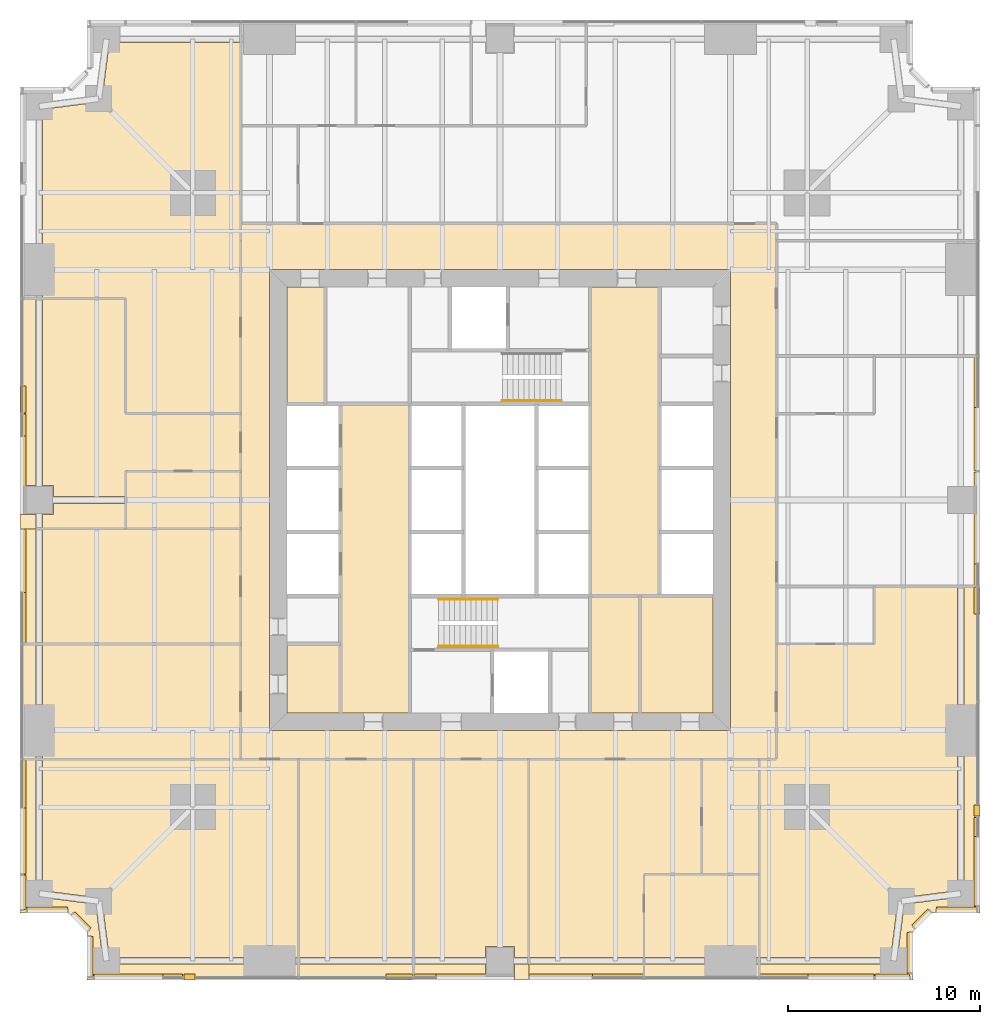
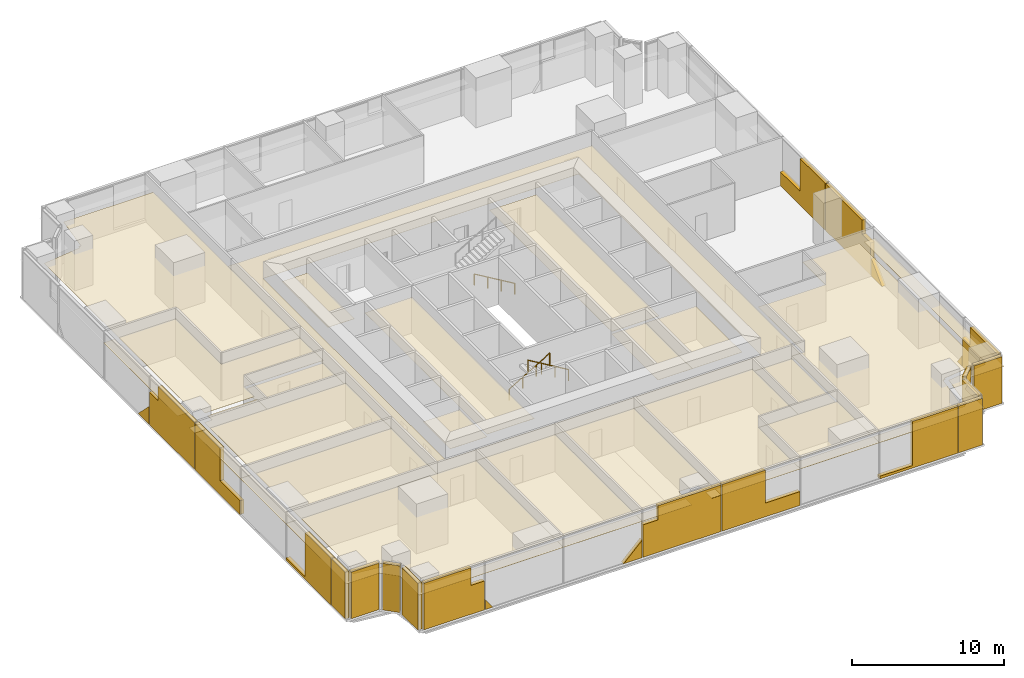
# One storey, part 12 of 13: 54 coverings, 3 railings.
"""IFC4 building model written with IfcOpenShell, lengths in metres."""

from ifc_helpers import new_model, si_unit, direction, frame, origin, origin_2d, place, context, subcontext, project, spatial, polyline, circle, outline, extrude, material, layer, layer_set, type_object, element, save


model = new_model("IFC4")

# Units and contexts
model_context = context("Model", 3, precision=1e-05, world=origin(), true_north=direction((0.0, 1.0)))
body_context = subcontext(model_context, "Body", "Model", "MODEL_VIEW")
ifc_project = project(units=[si_unit("LENGTHUNIT", "METRE"), si_unit("AREAUNIT", "SQUARE_METRE"), si_unit("VOLUMEUNIT", "CUBIC_METRE"), si_unit("PLANEANGLEUNIT", "RADIAN"), si_unit("MASSUNIT", "GRAM", prefix="KILO")], contexts=[model_context])

# Site, building, storey
site_placement = place(None, origin())
site = spatial("IfcSite", under=ifc_project, at=site_placement, CompositionType="ELEMENT")
building_placement = place(site_placement, origin())
building = spatial("IfcBuilding", under=site, at=building_placement, Name="Fenwick Lantern Interchange", CompositionType="ELEMENT")
storey_placement = place(building_placement, frame((0.0, 0.0, 63.0)))
storey = spatial("IfcBuildingStorey", under=building, at=storey_placement, Name="L14", CompositionType="ELEMENT", Elevation=63.0)

# Coverings
ifc_material_1 = material(Name="Mineral fibre acoustic tile on suspended grid")
ifc_layer_1 = layer(ifc_material_1, 0.02001953125)
ifc_layer_set_1 = layer_set([ifc_layer_1], Name="ACOUSTIC TILE CEILING 20")
covering_type_1 = type_object("IfcCoveringType", Name="ACOUSTIC TILE CEILING 20", PredefinedType="CEILING", material=ifc_layer_set_1)
covering_1_placement = place(storey_placement, frame((0.0, 0.0, 2.89990234375)))
element("IfcCovering", 1, at=covering_1_placement, inside=storey, type_object=covering_type_1, Name="Office suite ceiling", PredefinedType="CEILING", context=body_context, shape_type="SweptSolid", body=[
    extrude(outline(polyline([(14.5, 11.5), (1.17236328125, 11.5), (1.17236328125, 4.651611328125), (4.1220703125, 4.27099609375), (4.10009765625, 4.10009765625), (4.27099609375, 4.1220703125), (4.651611328125, 1.17236328125), (13.0, 1.17236328125), (14.5, 1.17236328125), (14.5, 11.5)])), origin(), (0.0, 0.0, 1.0), 0.02001953125),
])
covering_2_placement = place(storey_placement, frame((0.0, 0.0, 2.89990234375)))
element("IfcCovering", 2, at=covering_2_placement, inside=storey, type_object=covering_type_1, Name="Office suite ceiling", PredefinedType="CEILING", context=body_context, shape_type="SweptSolid", body=[
    extrude(outline(polyline([(3.5, 2.5), (3.5, 0.0), (14.5, 0.0), (14.5, 0.82763671875), (13.0, 0.82763671875), (4.5, 0.82763671875), (4.5, 1.0), (4.3291015625, 0.97802734375), (3.946044921875, 3.946044921875), (0.97802734375, 4.3291015625), (1.0, 4.5), (0.82763671875, 4.5), (0.82763671875, 11.5), (0.0, 11.5), (0.0, 3.5), (2.5, 3.5), (3.5, 2.5)])), origin(), (0.0, 0.0, 1.0), 0.02001953125),
])
covering_3_placement = place(storey_placement, frame((0.0, 0.0, 2.89990234375)))
element("IfcCovering", 3, at=covering_3_placement, inside=storey, type_object=covering_type_1, Name="Office suite ceiling", PredefinedType="CEILING", context=body_context, shape_type="SweptSolid", body=[
    extrude(outline(polyline([(14.5, 11.5), (14.5, 1.17236328125), (20.5, 1.17236328125), (20.5, 11.5), (14.5, 11.5)])), origin(), (0.0, 0.0, 1.0), 0.02001953125),
])
covering_4_placement = place(storey_placement, frame((0.0, 0.0, 2.89990234375)))
element("IfcCovering", 4, at=covering_4_placement, inside=storey, type_object=covering_type_1, Name="Office suite ceiling", PredefinedType="CEILING", context=body_context, shape_type="SweptSolid", body=[
    extrude(outline(polyline([(14.5, 0.0), (20.5, 0.0), (20.5, 0.82763671875), (14.5, 0.82763671875), (14.5, 0.0)])), origin(), (0.0, 0.0, 1.0), 0.02001953125),
])
covering_5_placement = place(storey_placement, frame((0.0, 0.0, 2.89990234375)))
element("IfcCovering", 5, at=covering_5_placement, inside=storey, type_object=covering_type_1, Name="Office suite ceiling", PredefinedType="CEILING", context=body_context, shape_type="SweptSolid", body=[
    extrude(outline(polyline([(25.75, 1.75), (25.75, 1.17236328125), (26.5, 1.17236328125), (26.5, 11.5), (20.5, 11.5), (20.5, 1.17236328125), (24.25, 1.17236328125), (24.25, 1.75), (25.75, 1.75)])), origin(), (0.0, 0.0, 1.0), 0.02001953125),
])
covering_6_placement = place(storey_placement, frame((0.0, 0.0, 2.89990234375)))
element("IfcCovering", 6, at=covering_6_placement, inside=storey, type_object=covering_type_1, Name="Office suite ceiling", PredefinedType="CEILING", context=body_context, shape_type="SweptSolid", body=[
    extrude(outline(polyline([(24.25, 0.0), (24.25, 0.82763671875), (20.5, 0.82763671875), (20.5, 0.0), (24.25, 0.0)])), origin(), (0.0, 0.0, 1.0), 0.02001953125),
])
covering_7_placement = place(storey_placement, frame((0.0, 0.0, 2.89990234375)))
element("IfcCovering", 7, at=covering_7_placement, inside=storey, type_object=covering_type_1, Name="Office suite ceiling", PredefinedType="CEILING", context=body_context, shape_type="SweptSolid", body=[
    extrude(outline(polyline([(25.75, 0.82763671875), (25.75, 0.0), (26.5, 0.0), (26.5, 0.82763671875), (25.75, 0.82763671875)])), origin(), (0.0, 0.0, 1.0), 0.02001953125),
])
covering_8_placement = place(storey_placement, frame((0.0, 0.0, 2.89990234375)))
element("IfcCovering", 8, at=covering_8_placement, inside=storey, type_object=covering_type_1, Name="Office suite ceiling", PredefinedType="CEILING", context=body_context, shape_type="SweptSolid", body=[
    extrude(outline(polyline([(26.5, 11.5), (26.5, 1.17236328125), (32.5, 1.17236328125), (32.5, 5.5), (35.5, 5.5), (35.5, 11.5), (26.5, 11.5)])), origin(), (0.0, 0.0, 1.0), 0.02001953125),
])
covering_9_placement = place(storey_placement, frame((0.0, 0.0, 2.89990234375)))
element("IfcCovering", 9, at=covering_9_placement, inside=storey, type_object=covering_type_1, Name="Office suite ceiling", PredefinedType="CEILING", context=body_context, shape_type="SweptSolid", body=[
    extrude(outline(polyline([(26.5, 0.0), (32.5, 0.0), (32.5, 0.82763671875), (26.5, 0.82763671875), (26.5, 0.0)])), origin(), (0.0, 0.0, 1.0), 0.02001953125),
])
covering_10_placement = place(storey_placement, frame((0.0, 0.0, 2.89990234375)))
element("IfcCovering", 10, at=covering_10_placement, inside=storey, type_object=covering_type_1, Name="Office ceiling", PredefinedType="CEILING", context=body_context, shape_type="SweptSolid", body=[
    extrude(outline(polyline([(32.5, 5.5), (32.5, 1.17236328125), (37.0, 1.17236328125), (38.5, 1.17236328125), (38.5, 5.5), (32.5, 5.5)])), origin(), (0.0, 0.0, 1.0), 0.02001953125),
])
covering_11_placement = place(storey_placement, frame((0.0, 0.0, 2.89990234375)))
element("IfcCovering", 11, at=covering_11_placement, inside=storey, type_object=covering_type_1, Name="Office ceiling", PredefinedType="CEILING", context=body_context, shape_type="SweptSolid", body=[
    extrude(outline(polyline([(38.5, 0.0), (38.5, 0.82763671875), (37.0, 0.82763671875), (32.5, 0.82763671875), (32.5, 0.0), (38.5, 0.0)])), origin(), (0.0, 0.0, 1.0), 0.02001953125),
])
covering_12_placement = place(storey_placement, frame((0.0, 0.0, 2.89990234375)))
element("IfcCovering", 12, at=covering_12_placement, inside=storey, type_object=covering_type_1, Name="Office suite ceiling", PredefinedType="CEILING", context=body_context, shape_type="SweptSolid", body=[
    extrude(outline(polyline([(48.82763671875, 20.5), (44.5, 20.5), (44.5, 17.5), (39.39990234375, 17.5), (39.39990234375, 11.5), (38.5, 11.5), (38.5, 1.17236328125), (45.348388671875, 1.17236328125), (45.72900390625, 4.1220703125), (45.89990234375, 4.10009765625), (45.8779296875, 4.27099609375), (48.82763671875, 4.651611328125), (48.82763671875, 13.0), (48.82763671875, 20.5)])), origin(), (0.0, 0.0, 1.0), 0.02001953125),
])
covering_13_placement = place(storey_placement, frame((0.0, 0.0, 2.89990234375)))
element("IfcCovering", 13, at=covering_13_placement, inside=storey, type_object=covering_type_1, Name="Office suite ceiling", PredefinedType="CEILING", context=body_context, shape_type="SweptSolid", body=[
    extrude(outline(polyline([(50.0, 20.5), (49.17236328125, 20.5), (49.17236328125, 13.0), (49.17236328125, 4.5), (49.0, 4.5), (49.02197265625, 4.3291015625), (46.053955078125, 3.946044921875), (45.6708984375, 0.97802734375), (45.5, 1.0), (45.5, 0.82763671875), (38.5, 0.82763671875), (38.5, 0.0), (46.5, 0.0), (46.5, 2.5), (47.5, 3.5), (50.0, 3.5), (50.0, 20.5)])), origin(), (0.0, 0.0, 1.0), 0.02001953125),
])
covering_14_placement = place(storey_placement, frame((0.0, 0.0, 2.89990234375)))
element("IfcCovering", 14, at=covering_14_placement, inside=storey, type_object=covering_type_1, Name="Office suite ceiling", PredefinedType="CEILING", context=body_context, shape_type="SweptSolid", body=[
    extrude(outline(polyline([(11.5, 29.5), (11.5, 48.82763671875), (4.651611328125, 48.82763671875), (4.27099609375, 45.8779296875), (4.10009765625, 45.89990234375), (4.1220703125, 45.72900390625), (1.17236328125, 45.348388671875), (1.17236328125, 37.0), (1.17236328125, 35.5), (5.5, 35.5), (5.5, 29.5), (11.5, 29.5)])), origin(), (0.0, 0.0, 1.0), 0.02001953125),
])
covering_15_placement = place(storey_placement, frame((0.0, 0.0, 2.89990234375)))
element("IfcCovering", 15, at=covering_15_placement, inside=storey, type_object=covering_type_1, Name="Office suite ceiling", PredefinedType="CEILING", context=body_context, shape_type="SweptSolid", body=[
    extrude(outline(polyline([(5.5, 29.5), (5.5, 35.5), (1.17236328125, 35.5), (1.17236328125, 25.75), (1.75, 25.75), (1.75, 25.175048828125), (5.5, 25.175048828125), (5.5, 26.5), (11.5, 26.5), (11.5, 29.5), (5.5, 29.5)])), origin(), (0.0, 0.0, 1.0), 0.02001953125),
])
covering_16_placement = place(storey_placement, frame((0.0, 0.0, 2.89990234375)))
element("IfcCovering", 16, at=covering_16_placement, inside=storey, type_object=covering_type_1, Name="Office suite ceiling", PredefinedType="CEILING", context=body_context, shape_type="SweptSolid", body=[
    extrude(outline(polyline([(0.0, 25.75), (0.82763671875, 25.75), (0.82763671875, 35.5), (0.0, 35.5), (0.0, 25.75)])), origin(), (0.0, 0.0, 1.0), 0.02001953125),
])
covering_17_placement = place(storey_placement, frame((0.0, 0.0, 2.89990234375)))
element("IfcCovering", 17, at=covering_17_placement, inside=storey, type_object=covering_type_1, Name="Office suite ceiling", PredefinedType="CEILING", context=body_context, shape_type="SweptSolid", body=[
    extrude(outline(polyline([(5.5, 23.5), (5.5, 24.824951171875), (1.75, 24.824951171875), (1.75, 24.25), (1.17236328125, 24.25), (1.17236328125, 23.5), (5.5, 23.5)])), origin(), (0.0, 0.0, 1.0), 0.02001953125),
])
covering_18_placement = place(storey_placement, frame((0.0, 0.0, 2.89990234375)))
element("IfcCovering", 18, at=covering_18_placement, inside=storey, type_object=covering_type_1, Name="Office suite ceiling", PredefinedType="CEILING", context=body_context, shape_type="SweptSolid", body=[
    extrude(outline(polyline([(0.0, 23.5), (0.82763671875, 23.5), (0.82763671875, 24.25), (0.0, 24.25), (0.0, 23.5)])), origin(), (0.0, 0.0, 1.0), 0.02001953125),
])
covering_19_placement = place(storey_placement, frame((0.0, 0.0, 2.699951171875)))
element("IfcCovering", 19, at=covering_19_placement, inside=storey, type_object=covering_type_1, Name="Quiet room ceiling", PredefinedType="CEILING", context=body_context, shape_type="SweptSolid", body=[
    extrude(outline(polyline([(5.5, 26.5), (5.5, 23.5), (11.5, 23.5), (11.5, 26.5), (5.5, 26.5)])), origin(), (0.0, 0.0, 1.0), 0.02001953125),
])
covering_20_placement = place(storey_placement, frame((0.0, 0.0, 2.89990234375)))
element("IfcCovering", 20, at=covering_20_placement, inside=storey, type_object=covering_type_1, Name="Office suite ceiling", PredefinedType="CEILING", context=body_context, shape_type="SweptSolid", body=[
    extrude(outline(polyline([(11.5, 23.5), (1.17236328125, 23.5), (1.17236328125, 17.5), (11.5, 17.5), (11.5, 23.5)])), origin(), (0.0, 0.0, 1.0), 0.02001953125),
])
covering_21_placement = place(storey_placement, frame((0.0, 0.0, 2.89990234375)))
element("IfcCovering", 21, at=covering_21_placement, inside=storey, type_object=covering_type_1, Name="Office suite ceiling", PredefinedType="CEILING", context=body_context, shape_type="SweptSolid", body=[
    extrude(outline(polyline([(0.0, 23.5), (0.0, 17.5), (0.82763671875, 17.5), (0.82763671875, 23.5), (0.0, 23.5)])), origin(), (0.0, 0.0, 1.0), 0.02001953125),
])
covering_22_placement = place(storey_placement, frame((0.0, 0.0, 2.89990234375)))
element("IfcCovering", 22, at=covering_22_placement, inside=storey, type_object=covering_type_1, Name="Office suite ceiling", PredefinedType="CEILING", context=body_context, shape_type="SweptSolid", body=[
    extrude(outline(polyline([(11.5, 17.5), (1.17236328125, 17.5), (1.17236328125, 13.0), (1.17236328125, 11.5), (11.5, 11.5), (11.5, 17.5)])), origin(), (0.0, 0.0, 1.0), 0.02001953125),
])
covering_23_placement = place(storey_placement, frame((0.0, 0.0, 2.89990234375)))
element("IfcCovering", 23, at=covering_23_placement, inside=storey, type_object=covering_type_1, Name="Office suite ceiling", PredefinedType="CEILING", context=body_context, shape_type="SweptSolid", body=[
    extrude(outline(polyline([(0.0, 17.5), (0.0, 11.5), (0.82763671875, 11.5), (0.82763671875, 13.0), (0.82763671875, 17.5), (0.0, 17.5)])), origin(), (0.0, 0.0, 1.0), 0.02001953125),
])
ifc_material_2 = material(Name="Granite cladding, warm grey flamed finish, on aluminium carrier frame", Category="masonry")
ifc_layer_2 = layer(ifc_material_2, 0.300048828125)
ifc_layer_set_2 = layer_set([ifc_layer_2], Name="BRACE CASING PANEL 300")
covering_type_2 = type_object("IfcCoveringType", Name="BRACE CASING PANEL 300", PredefinedType="CLADDING", material=ifc_layer_set_2)
covering_24_placement = place(storey_placement, frame((3.60009765625, 0.10009765625, 0.0), z_axis=(0.0, 0.0, 1.0), x_axis=(1.0, 0.0, 0.0)))
element("IfcCovering", 24, at=covering_24_placement, inside=storey, type_object=covering_type_2, Name="Brace casing 01 bay 00a", PredefinedType="CLADDING", context=body_context, shape_type="SweptSolid", body=[
    extrude(outline(polyline([(0.264892578125, 0.0), (4.867431640625, 0.0), (4.867431640625, 2.328125), (3.86083984375, 2.328125), (3.86083984375, 3.75), (0.264892578125, 3.75), (0.264892578125, 0.0)])), frame((0.0, 0.2001953125, 0.0), z_axis=(0.0, -1.0, 0.0), x_axis=(1.0, 0.0, 0.0)), (0.0, 0.0, 1.0), 0.300048828125),
])
covering_25_placement = place(storey_placement, frame((3.60009765625, 0.10009765625, 0.0), z_axis=(0.0, 0.0, 1.0), x_axis=(1.0, 0.0, 0.0)))
element("IfcCovering", 25, at=covering_25_placement, inside=storey, type_object=covering_type_2, Name="Brace casing 01 bay 01a", PredefinedType="CLADDING", context=body_context, shape_type="SweptSolid", body=[
    extrude(outline(polyline([(4.9326171875, 0.0), (5.510009765625, 0.0), (4.9326171875, 0.815185546875), (4.9326171875, 0.0)])), frame((0.0, 0.2001953125, 0.0), z_axis=(0.0, -1.0, 0.0), x_axis=(1.0, 0.0, 0.0)), (0.0, 0.0, 1.0), 0.300048828125),
])
covering_26_placement = place(storey_placement, frame((3.60009765625, 0.10009765625, 0.0), z_axis=(0.0, 0.0, 1.0), x_axis=(1.0, 0.0, 0.0)))
element("IfcCovering", 26, at=covering_26_placement, inside=storey, type_object=covering_type_2, Name="Brace casing 01 bay 02a", PredefinedType="CLADDING", context=body_context, shape_type="SweptSolid", body=[
    extrude(outline(polyline([(15.46044921875, 0.0), (16.867431640625, 0.0), (16.867431640625, 1.406982421875), (15.46044921875, 0.0)])), frame((0.0, 0.2001953125, 0.0), z_axis=(0.0, -1.0, 0.0), x_axis=(1.0, 0.0, 0.0)), (0.0, 0.0, 1.0), 0.300048828125),
])
covering_27_placement = place(storey_placement, frame((3.60009765625, 0.10009765625, 0.0), z_axis=(0.0, 0.0, 1.0), x_axis=(1.0, 0.0, 0.0)))
element("IfcCovering", 27, at=covering_27_placement, inside=storey, type_object=covering_type_2, Name="Brace casing 01 bay 03a", PredefinedType="CLADDING", context=body_context, shape_type="SweptSolid", body=[
    extrude(outline(polyline([(16.9326171875, 0.0), (22.867431640625, 0.0), (22.867431640625, 3.75), (18.072509765625, 3.75), (18.072509765625, 2.612060546875), (16.9326171875, 2.612060546875), (16.9326171875, 0.0)])), frame((0.0, 0.2001953125, 0.0), z_axis=(0.0, -1.0, 0.0), x_axis=(1.0, 0.0, 0.0)), (0.0, 0.0, 1.0), 0.300048828125),
])
covering_28_placement = place(storey_placement, frame((3.60009765625, 0.10009765625, 0.0), z_axis=(0.0, 0.0, 1.0), x_axis=(1.0, 0.0, 0.0)))
element("IfcCovering", 28, at=covering_28_placement, inside=storey, type_object=covering_type_2, Name="Brace casing 01 bay 04a", PredefinedType="CLADDING", context=body_context, shape_type="SweptSolid", body=[
    extrude(outline(polyline([(22.9326171875, 0.0), (28.867431640625, 0.0), (28.867431640625, 1.10888671875), (26.23046875, 1.10888671875), (26.23046875, 3.75), (22.9326171875, 3.75), (22.9326171875, 0.0)])), frame((0.0, 0.2001953125, 0.0), z_axis=(0.0, -1.0, 0.0), x_axis=(1.0, 0.0, 0.0)), (0.0, 0.0, 1.0), 0.300048828125),
])
covering_29_placement = place(storey_placement, frame((3.60009765625, 0.10009765625, 0.0), z_axis=(0.0, 0.0, 1.0), x_axis=(1.0, 0.0, 0.0)))
element("IfcCovering", 29, at=covering_29_placement, inside=storey, type_object=covering_type_2, Name="Brace casing 01 bay 06a", PredefinedType="CLADDING", context=body_context, shape_type="SweptSolid", body=[
    extrude(outline(polyline([(34.9326171875, 0.0), (40.867431640625, 0.0), (40.867431640625, 3.75), (37.4375, 3.75), (37.4375, 0.2080078125), (34.9326171875, 0.2080078125), (34.9326171875, 0.0)])), frame((0.0, 0.2001953125, 0.0), z_axis=(0.0, -1.0, 0.0), x_axis=(1.0, 0.0, 0.0)), (0.0, 0.0, 1.0), 0.300048828125),
])
covering_30_placement = place(storey_placement, frame((3.60009765625, 0.10009765625, 0.0), z_axis=(0.0, 0.0, 1.0), x_axis=(1.0, 0.0, 0.0)))
element("IfcCovering", 30, at=covering_30_placement, inside=storey, type_object=covering_type_2, Name="Brace casing 01 bay 07a", PredefinedType="CLADDING", context=body_context, shape_type="SweptSolid", body=[
    extrude(outline(polyline([(40.9326171875, 0.0), (42.735107421875, 0.0), (42.735107421875, 3.75), (40.9326171875, 3.75), (40.9326171875, 0.0)])), frame((0.0, 0.2001953125, 0.0), z_axis=(0.0, -1.0, 0.0), x_axis=(1.0, 0.0, 0.0)), (0.0, 0.0, 1.0), 0.300048828125),
])
covering_31_placement = place(storey_placement, frame((46.39990234375, 0.10009765625, 0.0), z_axis=(0.0, 0.0, 1.0), x_axis=(0.0, 1.0, 0.0)))
element("IfcCovering", 31, at=covering_31_placement, inside=storey, type_object=covering_type_2, Name="Brace casing 02 bay 00a", PredefinedType="CLADDING", context=body_context, shape_type="SweptSolid", body=[
    extrude(outline(polyline([(0.264892578125, 0.0), (2.37646484375, 0.0), (2.37646484375, 3.75), (0.264892578125, 3.75), (0.264892578125, 0.0)])), frame((0.0, 0.2001953125, 0.0), z_axis=(0.0, -1.0, 0.0), x_axis=(1.0, 0.0, 0.0)), (0.0, 0.0, 1.0), 0.300048828125),
])
covering_32_placement = place(storey_placement, frame((46.39990234375, 2.54150390625, 0.0), z_axis=(0.0, 0.0, 1.0), x_axis=(0.707106781187, 0.707106781187, 0.0)))
element("IfcCovering", 32, at=covering_32_placement, inside=storey, type_object=covering_type_2, Name="Brace casing 03 bay 00a", PredefinedType="CLADDING", context=body_context, shape_type="SweptSolid", body=[
    extrude(outline(polyline([(0.264892578125, 0.0), (1.43212890625, 0.0), (1.43212890625, 3.75), (0.264892578125, 3.75), (0.264892578125, 0.0)])), frame((0.0, 0.2001953125, 0.0), z_axis=(0.0, -1.0, 0.0), x_axis=(1.0, 0.0, 0.0)), (0.0, 0.0, 1.0), 0.300048828125),
])
covering_33_placement = place(storey_placement, frame((47.45849609375, 3.60009765625, 0.0), z_axis=(0.0, 0.0, 1.0), x_axis=(1.0, 0.0, 0.0)))
element("IfcCovering", 33, at=covering_33_placement, inside=storey, type_object=covering_type_2, Name="Brace casing 04 bay 00a", PredefinedType="CLADDING", context=body_context, shape_type="SweptSolid", body=[
    extrude(outline(polyline([(0.264892578125, 0.0), (2.37646484375, 0.0), (2.37646484375, 3.75), (0.264892578125, 3.75), (0.264892578125, 0.0)])), frame((0.0, 0.2001953125, 0.0), z_axis=(0.0, -1.0, 0.0), x_axis=(1.0, 0.0, 0.0)), (0.0, 0.0, 1.0), 0.300048828125),
])
covering_34_placement = place(storey_placement, frame((49.89990234375, 3.60009765625, 0.0), z_axis=(0.0, 0.0, 1.0), x_axis=(0.0, 1.0, 0.0)))
element("IfcCovering", 34, at=covering_34_placement, inside=storey, type_object=covering_type_2, Name="Brace casing 05 bay 00a", PredefinedType="CLADDING", context=body_context, shape_type="SweptSolid", body=[
    extrude(outline(polyline([(0.264892578125, 0.0), (4.867431640625, 0.0), (4.867431640625, 2.328125), (3.86083984375, 2.328125), (3.86083984375, 3.75), (0.264892578125, 3.75), (0.264892578125, 0.0)])), frame((0.0, 0.2001953125, 0.0), z_axis=(0.0, -1.0, 0.0), x_axis=(1.0, 0.0, 0.0)), (0.0, 0.0, 1.0), 0.300048828125),
])
covering_35_placement = place(storey_placement, frame((49.89990234375, 3.60009765625, 0.0), z_axis=(0.0, 0.0, 1.0), x_axis=(0.0, 1.0, 0.0)))
element("IfcCovering", 35, at=covering_35_placement, inside=storey, type_object=covering_type_2, Name="Brace casing 05 bay 01a", PredefinedType="CLADDING", context=body_context, shape_type="SweptSolid", body=[
    extrude(outline(polyline([(4.9326171875, 0.0), (5.510009765625, 0.0), (4.9326171875, 0.815185546875), (4.9326171875, 0.0)])), frame((0.0, 0.2001953125, 0.0), z_axis=(0.0, -1.0, 0.0), x_axis=(1.0, 0.0, 0.0)), (0.0, 0.0, 1.0), 0.300048828125),
])
covering_36_placement = place(storey_placement, frame((49.89990234375, 3.60009765625, 0.0), z_axis=(0.0, 0.0, 1.0), x_axis=(0.0, 1.0, 0.0)))
element("IfcCovering", 36, at=covering_36_placement, inside=storey, type_object=covering_type_2, Name="Brace casing 05 bay 02a", PredefinedType="CLADDING", context=body_context, shape_type="SweptSolid", body=[
    extrude(outline(polyline([(15.46044921875, 0.0), (16.867431640625, 0.0), (16.867431640625, 1.406982421875), (15.46044921875, 0.0)])), frame((0.0, 0.2001953125, 0.0), z_axis=(0.0, -1.0, 0.0), x_axis=(1.0, 0.0, 0.0)), (0.0, 0.0, 1.0), 0.300048828125),
])
covering_37_placement = place(storey_placement, frame((49.89990234375, 3.60009765625, 0.0), z_axis=(0.0, 0.0, 1.0), x_axis=(0.0, 1.0, 0.0)))
element("IfcCovering", 37, at=covering_37_placement, inside=storey, type_object=covering_type_2, Name="Brace casing 05 bay 03a", PredefinedType="CLADDING", context=body_context, shape_type="SweptSolid", body=[
    extrude(outline(polyline([(16.9326171875, 0.0), (22.867431640625, 0.0), (22.867431640625, 3.75), (18.072509765625, 3.75), (18.072509765625, 2.612060546875), (16.9326171875, 2.612060546875), (16.9326171875, 0.0)])), frame((0.0, 0.2001953125, 0.0), z_axis=(0.0, -1.0, 0.0), x_axis=(1.0, 0.0, 0.0)), (0.0, 0.0, 1.0), 0.300048828125),
])
covering_38_placement = place(storey_placement, frame((49.89990234375, 3.60009765625, 0.0), z_axis=(0.0, 0.0, 1.0), x_axis=(0.0, 1.0, 0.0)))
element("IfcCovering", 38, at=covering_38_placement, inside=storey, type_object=covering_type_2, Name="Brace casing 05 bay 04a", PredefinedType="CLADDING", context=body_context, shape_type="SweptSolid", body=[
    extrude(outline(polyline([(22.9326171875, 0.0), (28.867431640625, 0.0), (28.867431640625, 1.10888671875), (26.23046875, 1.10888671875), (26.23046875, 3.75), (22.9326171875, 3.75), (22.9326171875, 0.0)])), frame((0.0, 0.2001953125, 0.0), z_axis=(0.0, -1.0, 0.0), x_axis=(1.0, 0.0, 0.0)), (0.0, 0.0, 1.0), 0.300048828125),
])
covering_39_placement = place(storey_placement, frame((0.10009765625, 46.39990234375, 0.0), z_axis=(0.0, 0.0, 1.0), x_axis=(0.0, -1.0, 0.0)))
element("IfcCovering", 39, at=covering_39_placement, inside=storey, type_object=covering_type_2, Name="Brace casing 13 bay 02a", PredefinedType="CLADDING", context=body_context, shape_type="SweptSolid", body=[
    extrude(outline(polyline([(15.46044921875, 0.0), (16.867431640625, 0.0), (16.867431640625, 1.406982421875), (15.46044921875, 0.0)])), frame((0.0, 0.2001953125, 0.0), z_axis=(0.0, -1.0, 0.0), x_axis=(1.0, 0.0, 0.0)), (0.0, 0.0, 1.0), 0.300048828125),
])
covering_40_placement = place(storey_placement, frame((0.10009765625, 46.39990234375, 0.0), z_axis=(0.0, 0.0, 1.0), x_axis=(0.0, -1.0, 0.0)))
element("IfcCovering", 40, at=covering_40_placement, inside=storey, type_object=covering_type_2, Name="Brace casing 13 bay 03a", PredefinedType="CLADDING", context=body_context, shape_type="SweptSolid", body=[
    extrude(outline(polyline([(16.9326171875, 0.0), (22.867431640625, 0.0), (22.867431640625, 3.75), (18.072509765625, 3.75), (18.072509765625, 2.612060546875), (16.9326171875, 2.612060546875), (16.9326171875, 0.0)])), frame((0.0, 0.2001953125, 0.0), z_axis=(0.0, -1.0, 0.0), x_axis=(1.0, 0.0, 0.0)), (0.0, 0.0, 1.0), 0.300048828125),
])
covering_41_placement = place(storey_placement, frame((0.10009765625, 46.39990234375, 0.0), z_axis=(0.0, 0.0, 1.0), x_axis=(0.0, -1.0, 0.0)))
element("IfcCovering", 41, at=covering_41_placement, inside=storey, type_object=covering_type_2, Name="Brace casing 13 bay 04a", PredefinedType="CLADDING", context=body_context, shape_type="SweptSolid", body=[
    extrude(outline(polyline([(22.9326171875, 0.0), (28.867431640625, 0.0), (28.867431640625, 1.10888671875), (26.23046875, 1.10888671875), (26.23046875, 3.75), (22.9326171875, 3.75), (22.9326171875, 0.0)])), frame((0.0, 0.2001953125, 0.0), z_axis=(0.0, -1.0, 0.0), x_axis=(1.0, 0.0, 0.0)), (0.0, 0.0, 1.0), 0.300048828125),
])
covering_42_placement = place(storey_placement, frame((0.10009765625, 46.39990234375, 0.0), z_axis=(0.0, 0.0, 1.0), x_axis=(0.0, -1.0, 0.0)))
element("IfcCovering", 42, at=covering_42_placement, inside=storey, type_object=covering_type_2, Name="Brace casing 13 bay 06a", PredefinedType="CLADDING", context=body_context, shape_type="SweptSolid", body=[
    extrude(outline(polyline([(34.9326171875, 0.0), (40.867431640625, 0.0), (40.867431640625, 3.75), (37.4375, 3.75), (37.4375, 0.2080078125), (34.9326171875, 0.2080078125), (34.9326171875, 0.0)])), frame((0.0, 0.2001953125, 0.0), z_axis=(0.0, -1.0, 0.0), x_axis=(1.0, 0.0, 0.0)), (0.0, 0.0, 1.0), 0.300048828125),
])
covering_43_placement = place(storey_placement, frame((0.10009765625, 46.39990234375, 0.0), z_axis=(0.0, 0.0, 1.0), x_axis=(0.0, -1.0, 0.0)))
element("IfcCovering", 43, at=covering_43_placement, inside=storey, type_object=covering_type_2, Name="Brace casing 13 bay 07a", PredefinedType="CLADDING", context=body_context, shape_type="SweptSolid", body=[
    extrude(outline(polyline([(40.9326171875, 0.0), (42.735107421875, 0.0), (42.735107421875, 3.75), (40.9326171875, 3.75), (40.9326171875, 0.0)])), frame((0.0, 0.2001953125, 0.0), z_axis=(0.0, -1.0, 0.0), x_axis=(1.0, 0.0, 0.0)), (0.0, 0.0, 1.0), 0.300048828125),
])
covering_44_placement = place(storey_placement, frame((0.10009765625, 3.60009765625, 0.0), z_axis=(0.0, 0.0, 1.0), x_axis=(1.0, 0.0, 0.0)))
element("IfcCovering", 44, at=covering_44_placement, inside=storey, type_object=covering_type_2, Name="Brace casing 14 bay 00a", PredefinedType="CLADDING", context=body_context, shape_type="SweptSolid", body=[
    extrude(outline(polyline([(0.264892578125, 0.0), (2.37646484375, 0.0), (2.37646484375, 3.75), (0.264892578125, 3.75), (0.264892578125, 0.0)])), frame((0.0, 0.2001953125, 0.0), z_axis=(0.0, -1.0, 0.0), x_axis=(1.0, 0.0, 0.0)), (0.0, 0.0, 1.0), 0.300048828125),
])
covering_45_placement = place(storey_placement, frame((2.54150390625, 3.60009765625, 0.0), z_axis=(0.0, 0.0, 1.0), x_axis=(0.707106781187, -0.707106781187, 0.0)))
element("IfcCovering", 45, at=covering_45_placement, inside=storey, type_object=covering_type_2, Name="Brace casing 15 bay 00a", PredefinedType="CLADDING", context=body_context, shape_type="SweptSolid", body=[
    extrude(outline(polyline([(0.264892578125, 0.0), (1.43212890625, 0.0), (1.43212890625, 3.75), (0.264892578125, 3.75), (0.264892578125, 0.0)])), frame((0.0, 0.2001953125, 0.0), z_axis=(0.0, -1.0, 0.0), x_axis=(1.0, 0.0, 0.0)), (0.0, 0.0, 1.0), 0.300048828125),
])
covering_46_placement = place(storey_placement, frame((3.60009765625, 2.54150390625, 0.0), z_axis=(0.0, 0.0, 1.0), x_axis=(0.0, -1.0, 0.0)))
element("IfcCovering", 46, at=covering_46_placement, inside=storey, type_object=covering_type_2, Name="Brace casing 16 bay 00a", PredefinedType="CLADDING", context=body_context, shape_type="SweptSolid", body=[
    extrude(outline(polyline([(0.264892578125, 0.0), (2.37646484375, 0.0), (2.37646484375, 3.75), (0.264892578125, 3.75), (0.264892578125, 0.0)])), frame((0.0, 0.2001953125, 0.0), z_axis=(0.0, -1.0, 0.0), x_axis=(1.0, 0.0, 0.0)), (0.0, 0.0, 1.0), 0.300048828125),
])

# Railings
ifc_material_3 = material(Name="Stainless steel handrail", Category="steel")
railing_type = type_object("IfcRailingType", Name="HANDRAIL 900", PredefinedType="HANDRAIL", material=ifc_material_3)
railing_placement = place(storey_placement, frame((21.800048828125, 19.825927734375, 0.166748046875)))
element("IfcRailing", 47, at=railing_placement, inside=storey, type_object=railing_type, Name="L14/STAIR/ST1/HR1", PredefinedType="HANDRAIL", context=body_context, shape_type="SweptSolid", body=[
    extrude(circle(Radius=0.02392578125, at=origin_2d()), frame((0.0, 0.0, 0.8759765625), z_axis=(0.859290745958, 0.0, 0.51148745235), x_axis=(0.0, 1.0, 0.0)), (0.0, 0.0, 1.0), 3.584228515625),
    extrude(circle(Radius=0.02099609375, at=origin_2d()), origin(), (0.0, 0.0, 1.0), 0.851806640625),
    extrude(circle(Radius=0.02099609375, at=origin_2d()), frame((1.026611328125, 0.0, 0.611083984375)), (0.0, 0.0, 1.0), 0.851806640625),
    extrude(circle(Radius=0.02099609375, at=origin_2d()), frame((2.05322265625, 0.0, 1.22216796875)), (0.0, 0.0, 1.0), 0.851806640625),
    extrude(circle(Radius=0.02099609375, at=origin_2d()), frame((3.079833984375, 0.0, 1.833251953125)), (0.0, 0.0, 1.0), 0.851806640625),
])
for number, where, name in (
    (48, (24.8798828125, 17.3740234375, 2.166748046875), "L14/STAIR/ST1/HR2"),
    (49, (28.199951171875, 30.174072265625, 0.166748046875), "L14/STAIR/ST2/HR1"),
):
    element("IfcRailing", number, at=place(storey_placement, frame(where)), inside=storey, type_object=railing_type, Name=name, PredefinedType="HANDRAIL", context=body_context, shape_type="SweptSolid", body=[
        extrude(circle(Radius=0.02392578125, at=origin_2d()), frame((0.0, 0.0, 0.8759765625), z_axis=(-0.859290745958, 0.0, 0.51148745235), x_axis=(0.0, -1.0, 0.0)), (0.0, 0.0, 1.0), 3.584228515625),
        extrude(circle(Radius=0.02099609375, at=origin_2d()), origin(), (0.0, 0.0, 1.0), 0.851806640625),
        extrude(circle(Radius=0.02099609375, at=origin_2d()), frame((-1.026611328125, 0.0, 0.611083984375)), (0.0, 0.0, 1.0), 0.851806640625),
        extrude(circle(Radius=0.02099609375, at=origin_2d()), frame((-2.05322265625, 0.0, 1.22216796875)), (0.0, 0.0, 1.0), 0.851806640625),
        extrude(circle(Radius=0.02099609375, at=origin_2d()), frame((-3.079833984375, 0.0, 1.833251953125)), (0.0, 0.0, 1.0), 0.851806640625),
    ])

# Coverings
ifc_material_4 = material(Name="Moisture resistant gypsum board on suspended frame, painted")
ifc_layer_3 = layer(ifc_material_4, 0.014892578125)
ifc_layer_set_3 = layer_set([ifc_layer_3], Name="MOISTURE RESISTANT CEILING 15")
covering_type_3 = type_object("IfcCoveringType", Name="MOISTURE RESISTANT CEILING 15", PredefinedType="CEILING", material=ifc_layer_set_3)
covering_47_placement = place(storey_placement, frame((0.0, 0.0, 2.60009765625)))
element("IfcCovering", 50, at=covering_47_placement, inside=storey, type_object=covering_type_3, Name="Men's WC ceiling", PredefinedType="CEILING", context=body_context, shape_type="SweptSolid", body=[
    extrude(outline(polyline([(29.699951171875, 13.89990234375), (32.300048828125, 13.89990234375), (32.300048828125, 20.0), (29.699951171875, 20.0), (29.699951171875, 13.89990234375)])), origin(), (0.0, 0.0, 1.0), 0.014892578125),
])
covering_48_placement = place(storey_placement, frame((0.0, 0.0, 2.60009765625)))
element("IfcCovering", 51, at=covering_48_placement, inside=storey, type_object=covering_type_3, Name="Women's WC ceiling", PredefinedType="CEILING", context=body_context, shape_type="SweptSolid", body=[
    extrude(outline(polyline([(32.300048828125, 13.89990234375), (36.10009765625, 13.89990234375), (36.10009765625, 20.0), (32.300048828125, 20.0), (32.300048828125, 13.89990234375)])), origin(), (0.0, 0.0, 1.0), 0.014892578125),
])
covering_49_placement = place(storey_placement, frame((0.0, 0.0, 2.60009765625)))
element("IfcCovering", 52, at=covering_49_placement, inside=storey, type_object=covering_type_3, Name="Accessible WC and shower ceiling", PredefinedType="CEILING", context=body_context, shape_type="SweptSolid", body=[
    extrude(outline(polyline([(13.89990234375, 13.89990234375), (16.699951171875, 13.89990234375), (16.699951171875, 17.5), (13.89990234375, 17.5), (13.89990234375, 13.89990234375)])), origin(), (0.0, 0.0, 1.0), 0.014892578125),
])
covering_50_placement = place(storey_placement, frame((0.0, 0.0, 2.60009765625)))
element("IfcCovering", 53, at=covering_50_placement, inside=storey, type_object=covering_type_3, Name="Men's WC ceiling", PredefinedType="CEILING", context=body_context, shape_type="SweptSolid", body=[
    extrude(outline(polyline([(15.89990234375, 36.10009765625), (13.89990234375, 36.10009765625), (13.89990234375, 30.0), (15.89990234375, 30.0), (15.89990234375, 36.10009765625)])), origin(), (0.0, 0.0, 1.0), 0.014892578125),
])
covering_51_placement = place(storey_placement, frame((0.0, 0.0, 2.699951171875)))
element("IfcCovering", 54, at=covering_51_placement, inside=storey, type_object=covering_type_3, Name="Pantry ceiling", PredefinedType="CEILING", context=body_context, shape_type="SweptSolid", body=[
    extrude(outline(polyline([(35.5, 5.5), (38.5, 5.5), (38.5, 11.5), (35.5, 11.5), (35.5, 5.5)])), origin(), (0.0, 0.0, 1.0), 0.01513671875),
])
ifc_material_5 = material(Name="Gypsum plasterboard on suspended frame, painted")
ifc_layer_4 = layer(ifc_material_5, 0.014892578125)
ifc_layer_set_4 = layer_set([ifc_layer_4], Name="PLASTERBOARD CEILING 15")
covering_type_4 = type_object("IfcCoveringType", Name="PLASTERBOARD CEILING 15", PredefinedType="CEILING", material=ifc_layer_set_4)
covering_52_placement = place(storey_placement, frame((0.0, 0.0, 2.800048828125)))
element("IfcCovering", 55, at=covering_52_placement, inside=storey, type_object=covering_type_4, Name="Lift lobby ceiling", PredefinedType="CEILING", context=body_context, shape_type="SweptSolid", body=[
    extrude(outline(polyline([(16.699951171875, 13.89990234375), (20.300048828125, 13.89990234375), (20.300048828125, 30.0), (16.699951171875, 30.0), (16.699951171875, 13.89990234375)])), origin(), (0.0, 0.0, 1.0), 0.014892578125),
])
covering_53_placement = place(storey_placement, frame((0.0, 0.0, 2.800048828125)))
element("IfcCovering", 56, at=covering_53_placement, inside=storey, type_object=covering_type_4, Name="Lift lobby ceiling", PredefinedType="CEILING", context=body_context, shape_type="SweptSolid", body=[
    extrude(outline(polyline([(33.300048828125, 36.10009765625), (29.699951171875, 36.10009765625), (29.699951171875, 20.0), (33.300048828125, 20.0), (33.300048828125, 36.10009765625)])), origin(), (0.0, 0.0, 1.0), 0.014892578125),
])
covering_54_placement = place(storey_placement, frame((0.0, 0.0, 2.60009765625)))
element("IfcCovering", 57, at=covering_54_placement, inside=storey, type_object=covering_type_4, Name="Corridor ceiling", PredefinedType="CEILING", context=body_context, shape_type="SweptSolid", body=[
    extrude(outline(polyline([(39.39990234375, 11.5), (39.39990234375, 39.39990234375), (11.5, 39.39990234375), (11.5, 11.5), (39.39990234375, 11.5)]), holes=[polyline([(13.0, 37.0), (37.0, 37.0), (37.0, 13.0), (13.0, 13.0), (13.0, 37.0)])]), origin(), (0.0, 0.0, 1.0), 0.014892578125),
])

save(model, "model.ifc")
